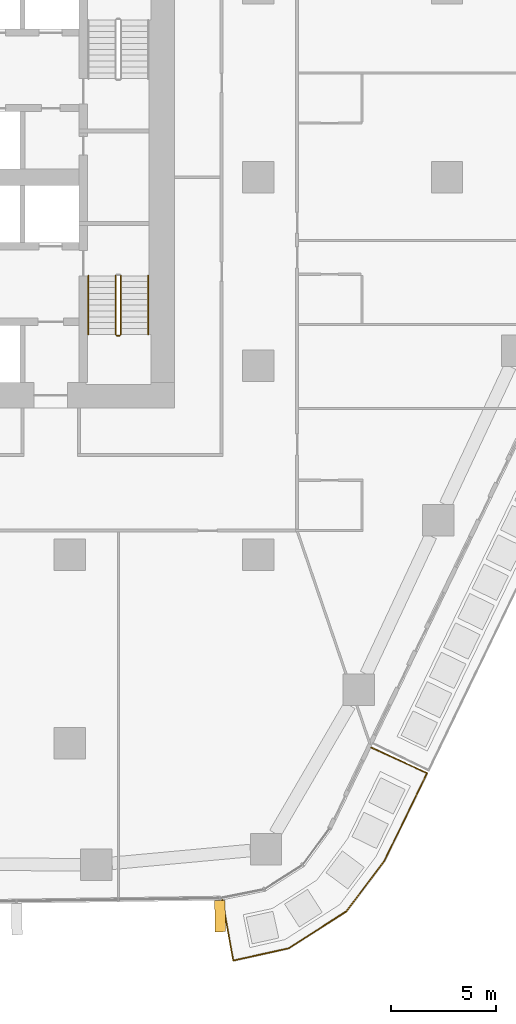
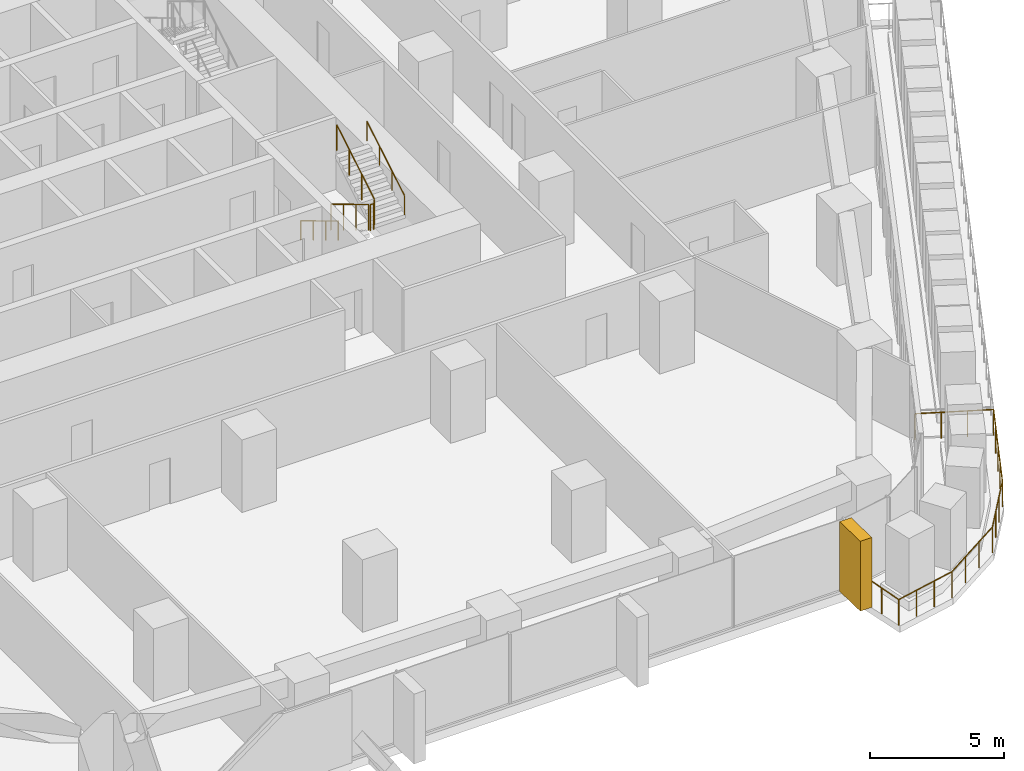
# One storey, part 21 of 24: 6 railings, 1 covering, 1 element without a shape of its own.
"""IFC4 building model written with IfcOpenShell, lengths in metres."""

from ifc_helpers import new_model, si_unit, direction, frame, origin, origin_2d, place, context, subcontext, project, spatial, rectangle, circle, extrude, material, layer, layer_set, material_profile, profile_set, type_object, element, aggregate, save


model = new_model("IFC4")

# Units and contexts
model_context = context("Model", 3, precision=1e-05, world=origin(), true_north=direction((0.0, 1.0)))
body_context = subcontext(model_context, "Body", "Model", "MODEL_VIEW")
ifc_project = project(units=[si_unit("LENGTHUNIT", "METRE"), si_unit("AREAUNIT", "SQUARE_METRE"), si_unit("VOLUMEUNIT", "CUBIC_METRE"), si_unit("PLANEANGLEUNIT", "RADIAN"), si_unit("MASSUNIT", "GRAM", prefix="KILO")], contexts=[model_context])

# Site, building, storey
site_placement = place(None, origin())
site = spatial("IfcSite", under=ifc_project, at=site_placement, CompositionType="ELEMENT")
building_placement = place(site_placement, origin())
building = spatial("IfcBuilding", under=site, at=building_placement, Name="Dongbaek Canopy Tower", CompositionType="ELEMENT")
storey_placement = place(building_placement, frame((0.0, 0.0, 51.39990234375)))
storey = spatial("IfcBuildingStorey", under=building, at=storey_placement, Name="L08", CompositionType="ELEMENT", Elevation=51.39990234375)

# Railing
ifc_material_1 = material(Name="Stainless steel", Category="steel")
railing_type_1 = type_object("IfcRailingType", Name="Balcony balustrade 1200", PredefinedType="BALUSTRADE", material=ifc_material_1)
railing_1_placement = place(storey_placement, frame((16.285400390625, -34.465576171875, 0.0)))
element("IfcRailing", 1, at=railing_1_placement, inside=storey, type_object=railing_type_1, Name="Balcony guard L08 7", PredefinedType="BALUSTRADE", context=body_context, shape_type="SweptSolid", body=[
    extrude(circle(Radius=0.02392578125, at=origin_2d()), frame((0.0, 0.0, 1.17578125), z_axis=(0.177592074624, -0.984104189114, 0.0), x_axis=(0.984104189114, 0.177592074624, 0.0)), (0.0, 0.0, 1.0), 2.9404296875),
    extrude(circle(Radius=0.02392578125, at=origin_2d()), frame((0.522216796875, -2.893798828125, 1.17578125), z_axis=(0.976442797021, 0.215776421663, 0.0), x_axis=(-0.215776421663, 0.976442797021, 0.0)), (0.0, 0.0, 1.0), 2.688232421875),
    extrude(circle(Radius=0.02392578125, at=origin_2d()), frame((3.147216796875, -2.313720703125, 1.17578125), z_axis=(0.843234796524, 0.537545419413, 0.0), x_axis=(-0.537545419413, 0.843234796524, 0.0)), (0.0, 0.0, 1.0), 3.27685546875),
    extrude(circle(Radius=0.02392578125, at=origin_2d()), frame((5.910400390625, -0.55224609375, 1.17578125), z_axis=(0.60281357482, 0.797882067735, 0.0), x_axis=(-0.797882067735, 0.60281357482, 0.0)), (0.0, 0.0, 1.0), 3.0087890625),
    extrude(circle(Radius=0.02392578125, at=origin_2d()), frame((7.72412109375, 1.848388671875, 1.17578125), z_axis=(0.43764971219, 0.899145555191, 0.0), x_axis=(-0.899145555191, 0.43764971219, 0.0)), (0.0, 0.0, 1.0), 4.668701171875),
    extrude(circle(Radius=0.02392578125, at=origin_2d()), frame((9.767333984375, 6.046142578125, 1.17578125), z_axis=(-0.908996672523, 0.416803370119, 0.0), x_axis=(-0.416803370119, -0.908996672523, 0.0)), (0.0, 0.0, 1.0), 2.9404296875),
    extrude(circle(Radius=0.02099609375, at=origin_2d()), origin(), (0.0, 0.0, 1.0), 1.15185546875),
    extrude(circle(Radius=0.02099609375, at=origin_2d()), frame((0.174072265625, -0.964599609375, 0.0)), (0.0, 0.0, 1.0), 1.15185546875),
    extrude(circle(Radius=0.02099609375, at=origin_2d()), frame((0.34814453125, -1.92919921875, 0.0)), (0.0, 0.0, 1.0), 1.15185546875),
    extrude(circle(Radius=0.02099609375, at=origin_2d()), frame((0.522216796875, -2.893798828125, 0.0)), (0.0, 0.0, 1.0), 1.15185546875),
    extrude(circle(Radius=0.02099609375, at=origin_2d()), frame((1.397216796875, -2.700439453125, 0.0)), (0.0, 0.0, 1.0), 1.15185546875),
    extrude(circle(Radius=0.02099609375, at=origin_2d()), frame((2.272216796875, -2.507080078125, 0.0)), (0.0, 0.0, 1.0), 1.15185546875),
    extrude(circle(Radius=0.02099609375, at=origin_2d()), frame((3.147216796875, -2.313720703125, 0.0)), (0.0, 0.0, 1.0), 1.15185546875),
    extrude(circle(Radius=0.02099609375, at=origin_2d()), frame((4.068359375, -1.7265625, 0.0)), (0.0, 0.0, 1.0), 1.15185546875),
    extrude(circle(Radius=0.02099609375, at=origin_2d()), frame((4.9892578125, -1.139404296875, 0.0)), (0.0, 0.0, 1.0), 1.15185546875),
    extrude(circle(Radius=0.02099609375, at=origin_2d()), frame((5.910400390625, -0.55224609375, 0.0)), (0.0, 0.0, 1.0), 1.15185546875),
    extrude(circle(Radius=0.02099609375, at=origin_2d()), frame((6.514892578125, 0.248046875, 0.0)), (0.0, 0.0, 1.0), 1.15185546875),
    extrude(circle(Radius=0.02099609375, at=origin_2d()), frame((7.11962890625, 1.048095703125, 0.0)), (0.0, 0.0, 1.0), 1.15185546875),
    extrude(circle(Radius=0.02099609375, at=origin_2d()), frame((7.72412109375, 1.848388671875, 0.0)), (0.0, 0.0, 1.0), 1.15185546875),
    extrude(circle(Radius=0.02099609375, at=origin_2d()), frame((8.23486328125, 2.89794921875, 0.0)), (0.0, 0.0, 1.0), 1.15185546875),
    extrude(circle(Radius=0.02099609375, at=origin_2d()), frame((8.74560546875, 3.947265625, 0.0)), (0.0, 0.0, 1.0), 1.15185546875),
    extrude(circle(Radius=0.02099609375, at=origin_2d()), frame((9.256591796875, 4.99658203125, 0.0)), (0.0, 0.0, 1.0), 1.15185546875),
    extrude(circle(Radius=0.02099609375, at=origin_2d()), frame((9.767333984375, 6.046142578125, 0.0)), (0.0, 0.0, 1.0), 1.15185546875),
    extrude(circle(Radius=0.02099609375, at=origin_2d()), frame((8.87646484375, 6.45458984375, 0.0)), (0.0, 0.0, 1.0), 1.15185546875),
    extrude(circle(Radius=0.02099609375, at=origin_2d()), frame((7.9853515625, 6.86328125, 0.0)), (0.0, 0.0, 1.0), 1.15185546875),
    extrude(circle(Radius=0.02099609375, at=origin_2d()), frame((7.094482421875, 7.271728515625, 0.0)), (0.0, 0.0, 1.0), 1.15185546875),
])

# Curtain wall, covering
ifc_material_2 = material(Name="Aluminium 6063-T6 pale anodised", Category="aluminium")
ifc_layer = layer(ifc_material_2, 0.199951171875)
ifc_layer_set = layer_set([ifc_layer], Name="CW-1 unitised tower curtain wall")
curtain_wall_type = type_object("IfcCurtainWallType", Name="CW-1 unitised tower curtain wall", PredefinedType="NOTDEFINED", material=ifc_layer_set)
curtain_wall_placement = place(storey_placement, origin())
curtain_wall = element("IfcCurtainWall", 2, at=curtain_wall_placement, inside=storey, type_object=curtain_wall_type, Name="CW-1 curtain wall F4.1", PredefinedType="NOTDEFINED")
ifc_material_3 = material(Name="Aluminium 6063-T6 pale metal fin", Category="aluminium")
ifc_material_profile = material_profile(ifc_material_3, rectangle(XDim=1.5, YDim=0.5, at=origin_2d()), Name="Fin FN1 500 x 1500 pale metal")
ifc_profile_set = profile_set([ifc_material_profile], Name="Aluminium 6063-T6 pale metal fin")
covering_type = type_object("IfcCoveringType", Name="Fin FN1 500 x 1500 pale metal", PredefinedType="CLADDING", material=ifc_profile_set)
covering_placement = place(storey_placement, frame((16.17919921875, -35.2373046875, 0.1201171875), z_axis=(0.0, 0.0, 1.0), x_axis=(0.014618811778, -0.999893139462, 0.0)))
covering = element("IfcCovering", 3, at=covering_placement, type_object=covering_type, Name="Fin F4.1.7", PredefinedType="CLADDING", context=body_context, shape_type="SweptSolid", body=[
    extrude(rectangle(XDim=1.5, YDim=0.5, at=origin_2d()), origin(), (0.0, 0.0, 1.0), 3.179931640625),
])
aggregate(curtain_wall, [covering])

# Railings
ifc_material_4 = material(Name="Stainless steel tube and balusters", Category="steel")
railing_type_2 = type_object("IfcRailingType", Name="Stair guard 1200", PredefinedType="GUARDRAIL", material=ifc_material_4)
railing_2_placement = place(storey_placement, frame((11.199951171875, -4.699951171875, 0.168212890625)))
element("IfcRailing", 4, at=railing_2_placement, inside=storey, type_object=railing_type_2, Name="L08 ST-B stair guard 1", PredefinedType="GUARDRAIL", context=body_context, shape_type="SweptSolid", body=[
    extrude(circle(Radius=0.02392578125, at=origin_2d()), frame((0.0, 0.0, 1.17578125), z_axis=(0.0, -0.857242210791, 0.514913383045), x_axis=(1.0, 0.0, 0.0)), (0.0, 0.0, 1.0), 3.266357421875),
    extrude(circle(Radius=0.02099609375, at=origin_2d()), origin(), (0.0, 0.0, 1.0), 1.15185546875),
    extrude(circle(Radius=0.02099609375, at=origin_2d()), frame((0.0, -0.933349609375, 0.560546875)), (0.0, 0.0, 1.0), 1.15185546875),
    extrude(circle(Radius=0.02099609375, at=origin_2d()), frame((0.0, -1.86669921875, 1.121337890625)), (0.0, 0.0, 1.0), 1.15185546875),
    extrude(circle(Radius=0.02099609375, at=origin_2d()), frame((0.0, -2.800048828125, 1.681884765625)), (0.0, 0.0, 1.0), 1.15185546875),
])
railing_3_placement = place(storey_placement, frame((11.25, -7.550048828125, 1.85009765625)))
element("IfcRailing", 5, at=railing_3_placement, inside=storey, type_object=railing_type_2, Name="L08 ST-B stair guard 2", PredefinedType="GUARDRAIL", context=body_context, shape_type="SweptSolid", body=[
    extrude(circle(Radius=0.02392578125, at=origin_2d()), frame((0.0, 0.0, 1.17578125), z_axis=(1.0, 0.0, 0.0), x_axis=(0.0, 1.0, 0.0)), (0.0, 0.0, 1.0), 0.14990234375),
    extrude(circle(Radius=0.02099609375, at=origin_2d()), origin(), (0.0, 0.0, 1.0), 1.15185546875),
    extrude(circle(Radius=0.02099609375, at=origin_2d()), frame((0.14990234375, 0.0, 0.0)), (0.0, 0.0, 1.0), 1.15185546875),
])
railing_4_placement = place(storey_placement, frame((11.449951171875, -7.5, 2.018310546875)))
element("IfcRailing", 6, at=railing_4_placement, inside=storey, type_object=railing_type_2, Name="L08 ST-B stair guard 3", PredefinedType="GUARDRAIL", context=body_context, shape_type="SweptSolid", body=[
    extrude(circle(Radius=0.02392578125, at=origin_2d()), frame((0.0, 0.0, 1.17578125), z_axis=(0.0, 0.857242210791, 0.514913383045), x_axis=(-1.0, 0.0, 0.0)), (0.0, 0.0, 1.0), 3.266357421875),
    extrude(circle(Radius=0.02099609375, at=origin_2d()), origin(), (0.0, 0.0, 1.0), 1.15185546875),
    extrude(circle(Radius=0.02099609375, at=origin_2d()), frame((0.0, 0.933349609375, 0.560546875)), (0.0, 0.0, 1.0), 1.15185546875),
    extrude(circle(Radius=0.02099609375, at=origin_2d()), frame((0.0, 1.86669921875, 1.121337890625)), (0.0, 0.0, 1.0), 1.15185546875),
    extrude(circle(Radius=0.02099609375, at=origin_2d()), frame((0.0, 2.800048828125, 1.681884765625)), (0.0, 0.0, 1.0), 1.15185546875),
])
ifc_material_5 = material(Name="Stainless steel tube", Category="steel")
railing_type_3 = type_object("IfcRailingType", Name="Stair handrail 900", PredefinedType="HANDRAIL", material=ifc_material_5)
railing_5_placement = place(storey_placement, frame((9.89990234375, -4.699951171875, 0.168212890625)))
element("IfcRailing", 7, at=railing_5_placement, inside=storey, type_object=railing_type_3, Name="L08 ST-B stair handrail 1", PredefinedType="HANDRAIL", context=body_context, shape_type="SweptSolid", body=[
    extrude(circle(Radius=0.02392578125, at=origin_2d()), frame((0.0, 0.0, 0.8759765625), z_axis=(0.0, -0.857242210791, 0.514913383045), x_axis=(1.0, 0.0, 0.0)), (0.0, 0.0, 1.0), 3.266357421875),
    extrude(circle(Radius=0.02099609375, at=origin_2d()), origin(), (0.0, 0.0, 1.0), 0.851806640625),
    extrude(circle(Radius=0.02099609375, at=origin_2d()), frame((0.0, -0.933349609375, 0.560546875)), (0.0, 0.0, 1.0), 0.851806640625),
    extrude(circle(Radius=0.02099609375, at=origin_2d()), frame((0.0, -1.86669921875, 1.121337890625)), (0.0, 0.0, 1.0), 0.851806640625),
    extrude(circle(Radius=0.02099609375, at=origin_2d()), frame((0.0, -2.800048828125, 1.681884765625)), (0.0, 0.0, 1.0), 0.851806640625),
])
railing_6_placement = place(storey_placement, frame((12.75, -7.5, 2.018310546875)))
element("IfcRailing", 8, at=railing_6_placement, inside=storey, type_object=railing_type_3, Name="L08 ST-B stair handrail 2", PredefinedType="HANDRAIL", context=body_context, shape_type="SweptSolid", body=[
    extrude(circle(Radius=0.02392578125, at=origin_2d()), frame((0.0, 0.0, 0.8759765625), z_axis=(0.0, 0.857242210791, 0.514913383045), x_axis=(-1.0, 0.0, 0.0)), (0.0, 0.0, 1.0), 3.266357421875),
    extrude(circle(Radius=0.02099609375, at=origin_2d()), origin(), (0.0, 0.0, 1.0), 0.851806640625),
    extrude(circle(Radius=0.02099609375, at=origin_2d()), frame((0.0, 0.933349609375, 0.560546875)), (0.0, 0.0, 1.0), 0.851806640625),
    extrude(circle(Radius=0.02099609375, at=origin_2d()), frame((0.0, 1.86669921875, 1.121337890625)), (0.0, 0.0, 1.0), 0.851806640625),
    extrude(circle(Radius=0.02099609375, at=origin_2d()), frame((0.0, 2.800048828125, 1.681884765625)), (0.0, 0.0, 1.0), 0.851806640625),
])

save(model, "model.ifc")
